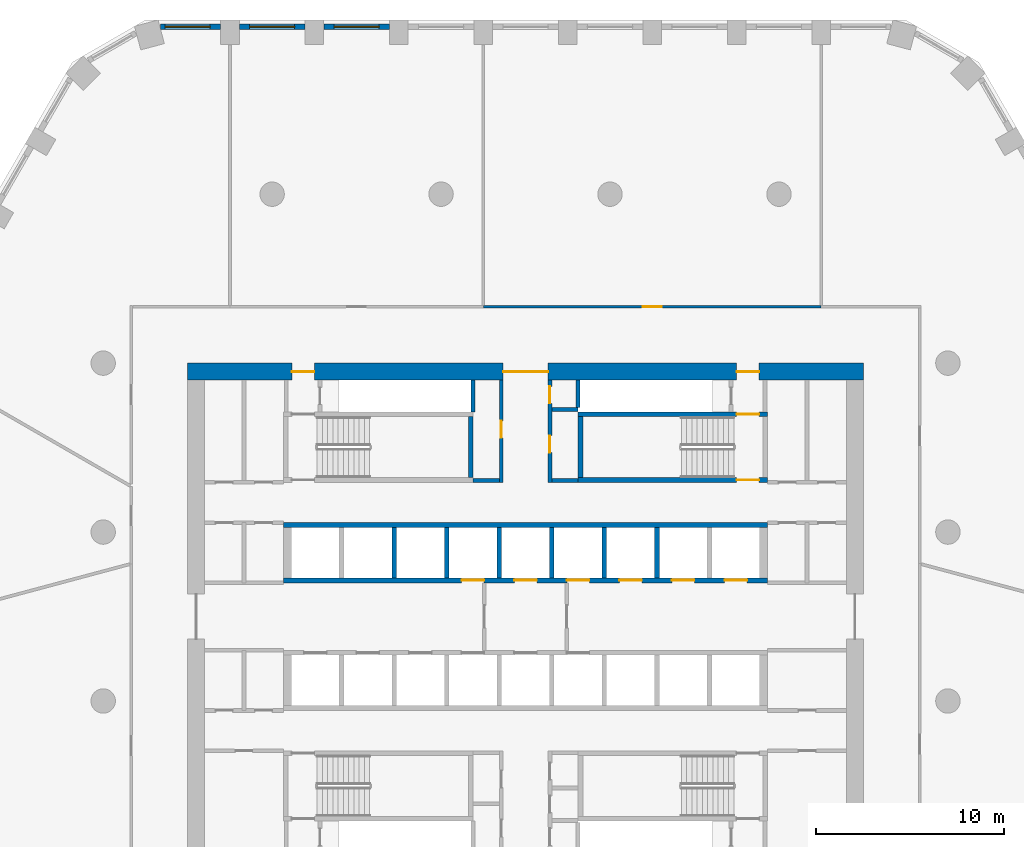
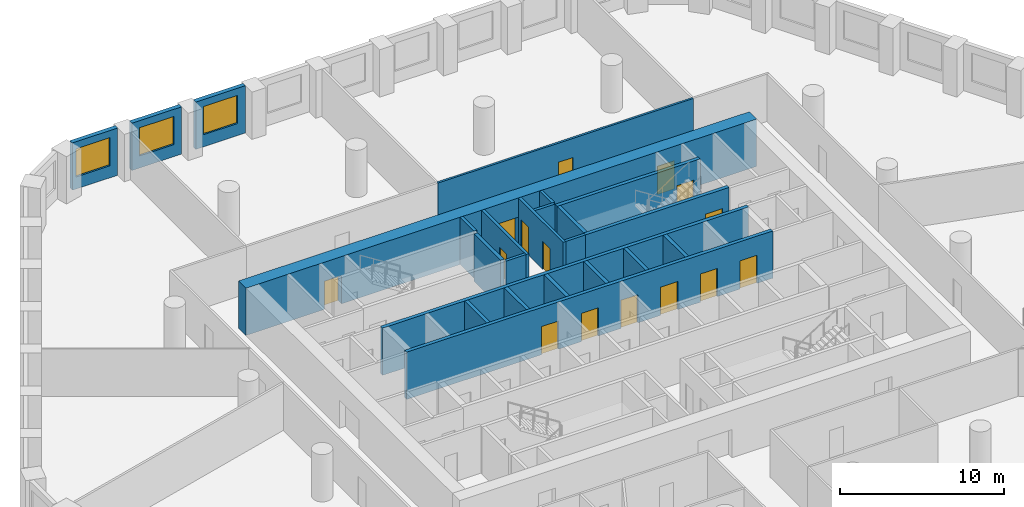
# One storey, part 6 of 9: 24 walls, 15 doors, 3 windows, 18 openings.
"""IFC4 building model written with IfcOpenShell, lengths in metres."""

from ifc_helpers import new_model, si_unit, direction, frame, frame_2d, origin, place, context, subcontext, project, spatial, polyline, rectangle, outline, extrude, material, layer, layer_set, type_object, element, fill, save


model = new_model("IFC4")

# Units and contexts
model_context = context("Model", 3, precision=1e-05, world=origin(), true_north=direction((0.0, 1.0)))
body_context = subcontext(model_context, "Body", "Model", "MODEL_VIEW")
ifc_project = project(units=[si_unit("LENGTHUNIT", "METRE"), si_unit("AREAUNIT", "SQUARE_METRE"), si_unit("VOLUMEUNIT", "CUBIC_METRE"), si_unit("PLANEANGLEUNIT", "RADIAN"), si_unit("MASSUNIT", "GRAM", prefix="KILO")], contexts=[model_context])

# Site, building, storey
site_placement = place(None, origin())
site = spatial("IfcSite", under=ifc_project, at=site_placement, CompositionType="ELEMENT")
building_placement = place(site_placement, origin())
building = spatial("IfcBuilding", under=site, at=building_placement, Name="Dhurran Vertical Campus", CompositionType="ELEMENT")
storey_placement = place(building_placement, frame((0.0, 0.0, 116.39990234375)))
storey = spatial("IfcBuildingStorey", under=building, at=storey_placement, Name="L28", CompositionType="ELEMENT", Elevation=116.39990234375)

# Wall, opening, window
ifc_material_1 = material(Name="Precast concrete C50/60", Category="concrete")
ifc_layer_1 = layer(ifc_material_1, 0.300048828125)
ifc_layer_set_1 = layer_set([ifc_layer_1], Name="Precast concrete C50/60")
wall_type_1 = type_object("IfcWallType", Name="Precast spandrel wall 300", PredefinedType="SOLIDWALL", material=ifc_layer_set_1)
wall_1_placement = place(storey_placement, frame((-7.25048828125, 31.4296875, 0.0), z_axis=(0.0, 0.0, 1.0), x_axis=(-1.0, 0.0, 0.0)))
wall_1 = element("IfcWall", 1, at=wall_1_placement, inside=storey, type_object=wall_type_1, Name="EW1 L28.32", PredefinedType="SOLIDWALL", context=body_context, shape_type="SweptSolid", body=[
    extrude(rectangle(XDim=3.4990234375, YDim=0.300048828125, at=frame_2d((1.74951171875, 0.0))), origin(), (0.0, 0.0, 1.0), 3.525146484375),
])
opening_1_placement = place(wall_1_placement, frame((0.549560546875, 0.0, 0.89990234375)))
opening_1 = element("IfcOpeningElement", 2, at=opening_1_placement, cuts=wall_1, Name="Opening WT1", PredefinedType="OPENING", context=body_context, shape_type="SweptSolid", body=[
    extrude(rectangle(XDim=2.39990234375, YDim=2.10009765625, at=frame_2d((1.199951171875, 1.050048828125))), frame((0.0, 0.159912109375, 0.0), z_axis=(0.0, -1.0, 0.0), x_axis=(1.0, 0.0, 0.0)), (0.0, 0.0, 1.0), 0.320068359375),
])
ifc_material_2 = material(Name="Aluminium frame with solar-control glass", Category="aluminium")
window_type = type_object("IfcWindowType", Name="Punched window 2400 x 2100", PartitioningType="SINGLE_PANEL", PredefinedType="WINDOW", material=ifc_material_2)
window_1_placement = place(opening_1_placement, origin())
window_1 = element("IfcWindow", 3, at=window_1_placement, inside=storey, type_object=window_type, Name="WT1 L28.32", OverallHeight=2.10009765625, OverallWidth=2.39990234375, PartitioningType="SINGLE_PANEL", PredefinedType="WINDOW", context=body_context, shape_type="SweptSolid", body=[
    extrude(rectangle(XDim=2.39990234375, YDim=2.10009765625, at=frame_2d((1.199951171875, 1.050048828125))), frame((0.0, 0.030029296875, 0.0), z_axis=(0.0, -1.0, 0.0), x_axis=(1.0, 0.0, 0.0)), (0.0, 0.0, 1.0), 0.06005859375),
])
fill(opening_1, window_1)

wall_2_placement = place(storey_placement, frame((-11.75048828125, 31.4296875, 0.0), z_axis=(0.0, 0.0, 1.0), x_axis=(-1.0, 0.0, 0.0)))
wall_2 = element("IfcWall", 4, at=wall_2_placement, inside=storey, type_object=wall_type_1, Name="EW1 L28.33", PredefinedType="SOLIDWALL", context=body_context, shape_type="SweptSolid", body=[
    extrude(rectangle(XDim=3.4990234375, YDim=0.300048828125, at=frame_2d((1.74951171875, 0.0))), origin(), (0.0, 0.0, 1.0), 3.525146484375),
])
opening_2_placement = place(wall_2_placement, frame((0.549560546875, 0.0, 0.89990234375)))
opening_2 = element("IfcOpeningElement", 5, at=opening_2_placement, cuts=wall_2, Name="Opening WT1", PredefinedType="OPENING", context=body_context, shape_type="SweptSolid", body=[
    extrude(rectangle(XDim=2.39990234375, YDim=2.10009765625, at=frame_2d((1.199951171875, 1.050048828125))), frame((0.0, 0.159912109375, 0.0), z_axis=(0.0, -1.0, 0.0), x_axis=(1.0, 0.0, 0.0)), (0.0, 0.0, 1.0), 0.320068359375),
])
window_2_placement = place(opening_2_placement, origin())
window_2 = element("IfcWindow", 6, at=window_2_placement, inside=storey, type_object=window_type, Name="WT1 L28.33", OverallHeight=2.10009765625, OverallWidth=2.39990234375, PartitioningType="SINGLE_PANEL", PredefinedType="WINDOW", context=body_context, shape_type="SweptSolid", body=[
    extrude(rectangle(XDim=2.39990234375, YDim=2.10009765625, at=frame_2d((1.199951171875, 1.050048828125))), frame((0.0, 0.030029296875, 0.0), z_axis=(0.0, -1.0, 0.0), x_axis=(1.0, 0.0, 0.0)), (0.0, 0.0, 1.0), 0.06005859375),
])
fill(opening_2, window_2)

wall_3_placement = place(storey_placement, frame((-16.25048828125, 31.4296875, 0.0), z_axis=(0.0, 0.0, 1.0), x_axis=(-1.0, 0.0, 0.0)))
wall_3 = element("IfcWall", 7, at=wall_3_placement, inside=storey, type_object=wall_type_1, Name="EW1 L28.34", PredefinedType="SOLIDWALL", context=body_context, shape_type="SweptSolid", body=[
    extrude(rectangle(XDim=3.1923828125, YDim=0.300048828125, at=frame_2d((1.59619140625, 0.0))), origin(), (0.0, 0.0, 1.0), 3.525146484375),
])
opening_3_placement = place(wall_3_placement, frame((0.549560546875, 0.0, 0.89990234375)))
opening_3 = element("IfcOpeningElement", 8, at=opening_3_placement, cuts=wall_3, Name="Opening WT1", PredefinedType="OPENING", context=body_context, shape_type="SweptSolid", body=[
    extrude(rectangle(XDim=2.39990234375, YDim=2.10009765625, at=frame_2d((1.199951171875, 1.050048828125))), frame((0.0, 0.159912109375, 0.0), z_axis=(0.0, -1.0, 0.0), x_axis=(1.0, 0.0, 0.0)), (0.0, 0.0, 1.0), 0.320068359375),
])
window_3_placement = place(opening_3_placement, origin())
window_3 = element("IfcWindow", 9, at=window_3_placement, inside=storey, type_object=window_type, Name="WT1 L28.34", OverallHeight=2.10009765625, OverallWidth=2.39990234375, PartitioningType="SINGLE_PANEL", PredefinedType="WINDOW", context=body_context, shape_type="SweptSolid", body=[
    extrude(rectangle(XDim=2.39990234375, YDim=2.10009765625, at=frame_2d((1.199951171875, 1.050048828125))), frame((0.0, 0.030029296875, 0.0), z_axis=(0.0, -1.0, 0.0), x_axis=(1.0, 0.0, 0.0)), (0.0, 0.0, 1.0), 0.06005859375),
])
fill(opening_3, window_3)

# Wall, openings, doors
ifc_material_3 = material(Name="Concrete C60/75", Category="concrete")
ifc_layer_2 = layer(ifc_material_3, 0.89990234375)
ifc_layer_set_2 = layer_set([ifc_layer_2], Name="Concrete C60/75")
wall_type_2 = type_object("IfcWallType", Name="co-CORE-WALL-C0-900", PredefinedType="SHEAR", material=ifc_layer_set_2)
wall_4_placement = place(storey_placement, frame((-18.0, 13.050048828125, 0.0), z_axis=(0.0, 0.0, 1.0), x_axis=(1.0, 0.0, 0.0)))
wall_4 = element("IfcWall", 10, at=wall_4_placement, inside=storey, type_object=wall_type_2, Name="Core wall N L28", PredefinedType="SHEAR", context=body_context, shape_type="SweptSolid", body=[
    extrude(rectangle(XDim=36.0, YDim=0.89990234375, at=frame_2d((18.0, 0.0))), origin(), (0.0, 0.0, 1.0), 3.525146484375),
])
opening_4_placement = place(wall_4_placement, frame((16.800048828125, 0.0, 0.0)))
opening_4 = element("IfcOpeningElement", 11, at=opening_4_placement, cuts=wall_4, Name="Opening CV1", PredefinedType="OPENING", context=body_context, shape_type="SweptSolid", body=[
    extrude(rectangle(XDim=2.39990234375, YDim=2.10009765625, at=frame_2d((1.199951171875, 1.050048828125))), frame((0.0, 0.4599609375, 0.0), z_axis=(0.0, -1.0, 0.0), x_axis=(1.0, 0.0, 0.0)), (0.0, 0.0, 1.0), 0.919921875),
])
opening_5_placement = place(wall_4_placement, frame((5.550048828125, 0.0, 0.0)))
opening_5 = element("IfcOpeningElement", 12, at=opening_5_placement, cuts=wall_4, Name="Opening XD1", PredefinedType="OPENING", context=body_context, shape_type="SweptSolid", body=[
    extrude(rectangle(XDim=1.199951171875, YDim=2.10009765625, at=frame_2d((0.60009765625, 1.050048828125))), frame((0.0, 0.4599609375, 0.0), z_axis=(0.0, -1.0, 0.0), x_axis=(1.0, 0.0, 0.0)), (0.0, 0.0, 1.0), 0.919921875),
])
opening_6_placement = place(wall_4_placement, frame((29.25, 0.0, 0.0)))
opening_6 = element("IfcOpeningElement", 13, at=opening_6_placement, cuts=wall_4, Name="Opening XD2", PredefinedType="OPENING", context=body_context, shape_type="SweptSolid", body=[
    extrude(rectangle(XDim=1.199951171875, YDim=2.10009765625, at=frame_2d((0.60009765625, 1.050048828125))), frame((0.0, 0.4599609375, 0.0), z_axis=(0.0, -1.0, 0.0), x_axis=(1.0, 0.0, 0.0)), (0.0, 0.0, 1.0), 0.919921875),
])
ifc_material_4 = material(Name="Fire-rated glazed door set")
door_type_1 = type_object("IfcDoorType", Name="co-D-LOBBY 2400x2100", OperationType="DOUBLE_DOOR_DOUBLE_SWING", PredefinedType="DOOR", material=ifc_material_4)
door_1_placement = place(opening_4_placement, origin())
door_1 = element("IfcDoor", 14, at=door_1_placement, inside=storey, type_object=door_type_1, Name="Core vestibule door N L28", OperationType="DOUBLE_DOOR_DOUBLE_SWING", OverallHeight=2.10009765625, OverallWidth=2.39990234375, PredefinedType="DOOR", context=body_context, shape_type="SweptSolid", body=[
    extrude(rectangle(XDim=2.39990234375, YDim=2.10009765625, at=frame_2d((1.199951171875, 1.050048828125))), frame((0.0, 0.02490234375, 0.0), z_axis=(0.0, -1.0, 0.0), x_axis=(1.0, 0.0, 0.0)), (0.0, 0.0, 1.0), 0.050048828125),
])
fill(opening_4, door_1)
ifc_material_5 = material(Name="Fire-rated steel door set", Category="steel")
door_type_2 = type_object("IfcDoorType", Name="co-D-STAIR-EXIT 1200x2100", OperationType="SINGLE_SWING_RIGHT", PredefinedType="DOOR", material=ifc_material_5)
door_2_placement = place(opening_5_placement, origin())
door_2 = element("IfcDoor", 15, at=door_2_placement, inside=storey, type_object=door_type_2, Name="Stair ST1 exit door L28", OperationType="SINGLE_SWING_RIGHT", OverallHeight=2.10009765625, OverallWidth=1.199951171875, PredefinedType="DOOR", context=body_context, shape_type="SweptSolid", body=[
    extrude(rectangle(XDim=1.199951171875, YDim=2.10009765625, at=frame_2d((0.60009765625, 1.050048828125))), frame((0.0, 0.02490234375, 0.0), z_axis=(0.0, -1.0, 0.0), x_axis=(1.0, 0.0, 0.0)), (0.0, 0.0, 1.0), 0.050048828125),
])
fill(opening_5, door_2)
door_3_placement = place(opening_6_placement, origin())
door_3 = element("IfcDoor", 16, at=door_3_placement, inside=storey, type_object=door_type_2, Name="Stair ST2 exit door L28", OperationType="SINGLE_SWING_RIGHT", OverallHeight=2.10009765625, OverallWidth=1.199951171875, PredefinedType="DOOR", context=body_context, shape_type="SweptSolid", body=[
    extrude(rectangle(XDim=1.199951171875, YDim=2.10009765625, at=frame_2d((0.60009765625, 1.050048828125))), frame((0.0, 0.02490234375, 0.0), z_axis=(0.0, -1.0, 0.0), x_axis=(1.0, 0.0, 0.0)), (0.0, 0.0, 1.0), 0.050048828125),
])
fill(opening_6, door_3)

# Walls
ifc_material_6 = material(Name="Fire-rated masonry blockwork", Category="masonry")
ifc_layer_3 = layer(ifc_material_6, 0.199951171875)
ifc_layer_set_3 = layer_set([ifc_layer_3], Name="Fire-rated masonry blockwork")
wall_type_3 = type_object("IfcWallType", Name="co-FIRE-PARTITION-200", PredefinedType="PARTITIONING", material=ifc_layer_set_3)
for number, where, z_axis, x_axis, name in (
    (17, (-2.800048828125, 7.25, 0.0), (0.0, 0.0, 1.0), (1.0, 0.0, 0.0), "Core partition sl-NW-S L28"),
    (18, (1.39990234375, 7.25, 0.0), (0.0, 0.0, 1.0), (1.0, 0.0, 0.0), "Core partition sl-NE-S L28"),
    (19, (1.39990234375, 11.02490234375, 0.0), (0.0, 0.0, 1.0), (1.0, 0.0, 0.0), "Core partition sl-NE-cut0 L28"),
):
    element("IfcWall", number, at=place(storey_placement, frame(where, z_axis=z_axis, x_axis=x_axis)), inside=storey, type_object=wall_type_3, Name=name, PredefinedType="PARTITIONING", context=body_context, shape_type="SweptSolid", body=[
        extrude(rectangle(XDim=1.400146484375, YDim=0.199951171875, at=frame_2d((0.7001953125, 0.0))), origin(), (0.0, 0.0, 1.0), 3.525146484375),
    ])

# Wall, opening, door
wall_5_placement = place(storey_placement, frame((-1.300048828125, 7.14990234375, 0.0), z_axis=(0.0, 0.0, 1.0), x_axis=(0.0, 1.0, 0.0)))
wall_5 = element("IfcWall", 20, at=wall_5_placement, inside=storey, type_object=wall_type_3, Name="Core partition vest-NW L28", PredefinedType="PARTITIONING", context=body_context, shape_type="SweptSolid", body=[
    extrude(rectangle(XDim=5.4501953125, YDim=0.199951171875, at=frame_2d((2.72509765625, 0.0))), origin(), (0.0, 0.0, 1.0), 3.525146484375),
])
opening_7_placement = place(wall_5_placement, frame((2.375, 0.0, 0.0)))
opening_7 = element("IfcOpeningElement", 21, at=opening_7_placement, cuts=wall_5, Name="Opening T08-C6", PredefinedType="OPENING", context=body_context, shape_type="SweptSolid", body=[
    extrude(rectangle(XDim=0.89990234375, YDim=2.10009765625, at=frame_2d((0.449951171875, 1.050048828125))), frame((0.0, 0.10986328125, 0.0), z_axis=(0.0, -1.0, 0.0), x_axis=(1.0, 0.0, 0.0)), (0.0, 0.0, 1.0), 0.219970703125),
])
ifc_material_7 = material(Name="Fire-rated timber door set", Category="wood")
door_type_3 = type_object("IfcDoorType", Name="co-D-ROOM 900x2100", OperationType="SINGLE_SWING_LEFT", PredefinedType="DOOR", material=ifc_material_7)
door_4_placement = place(opening_7_placement, origin())
door_4 = element("IfcDoor", 22, at=door_4_placement, inside=storey, type_object=door_type_3, Name="Housekeeping store door L28", OperationType="SINGLE_SWING_LEFT", OverallHeight=2.10009765625, OverallWidth=0.89990234375, PredefinedType="DOOR", context=body_context, shape_type="SweptSolid", body=[
    extrude(rectangle(XDim=0.89990234375, YDim=2.10009765625, at=frame_2d((0.449951171875, 1.050048828125))), frame((0.0, 0.02490234375, 0.0), z_axis=(0.0, -1.0, 0.0), x_axis=(1.0, 0.0, 0.0)), (0.0, 0.0, 1.0), 0.050048828125),
])
fill(opening_7, door_4)

# Wall, openings, doors
wall_6_placement = place(storey_placement, frame((1.300048828125, 7.14990234375, 0.0), z_axis=(0.0, 0.0, 1.0), x_axis=(0.0, 1.0, 0.0)))
wall_6 = element("IfcWall", 23, at=wall_6_placement, inside=storey, type_object=wall_type_3, Name="Core partition vest-NE L28", PredefinedType="PARTITIONING", context=body_context, shape_type="SweptSolid", body=[
    extrude(rectangle(XDim=5.4501953125, YDim=0.199951171875, at=frame_2d((2.72509765625, 0.0))), origin(), (0.0, 0.0, 1.0), 3.525146484375),
])
opening_8_placement = place(wall_6_placement, frame((1.58740234375, 0.0, 0.0)))
opening_8 = element("IfcOpeningElement", 24, at=opening_8_placement, cuts=wall_6, Name="Opening T08-C7", PredefinedType="OPENING", context=body_context, shape_type="SweptSolid", body=[
    extrude(rectangle(XDim=0.89990234375, YDim=2.10009765625, at=frame_2d((0.449951171875, 1.050048828125))), frame((0.0, 0.10986328125, 0.0), z_axis=(0.0, -1.0, 0.0), x_axis=(1.0, 0.0, 0.0)), (0.0, 0.0, 1.0), 0.219970703125),
])
opening_9_placement = place(wall_6_placement, frame((4.21240234375, 0.0, 0.0)))
opening_9 = element("IfcOpeningElement", 25, at=opening_9_placement, cuts=wall_6, Name="Opening T08-C8", PredefinedType="OPENING", context=body_context, shape_type="SweptSolid", body=[
    extrude(rectangle(XDim=0.89990234375, YDim=2.10009765625, at=frame_2d((0.449951171875, 1.050048828125))), frame((0.0, 0.10986328125, 0.0), z_axis=(0.0, -1.0, 0.0), x_axis=(1.0, 0.0, 0.0)), (0.0, 0.0, 1.0), 0.219970703125),
])
door_5_placement = place(opening_8_placement, origin())
door_5 = element("IfcDoor", 26, at=door_5_placement, inside=storey, type_object=door_type_3, Name="Fire equipment store door L28", OperationType="SINGLE_SWING_LEFT", OverallHeight=2.10009765625, OverallWidth=0.89990234375, PredefinedType="DOOR", context=body_context, shape_type="SweptSolid", body=[
    extrude(rectangle(XDim=0.89990234375, YDim=2.10009765625, at=frame_2d((0.449951171875, 1.050048828125))), frame((0.0, 0.02490234375, 0.0), z_axis=(0.0, -1.0, 0.0), x_axis=(1.0, 0.0, 0.0)), (0.0, 0.0, 1.0), 0.050048828125),
])
fill(opening_8, door_5)
door_6_placement = place(opening_9_placement, origin())
door_6 = element("IfcDoor", 27, at=door_6_placement, inside=storey, type_object=door_type_3, Name="Communications room door L28", OperationType="SINGLE_SWING_LEFT", OverallHeight=2.10009765625, OverallWidth=0.89990234375, PredefinedType="DOOR", context=body_context, shape_type="SweptSolid", body=[
    extrude(rectangle(XDim=0.89990234375, YDim=2.10009765625, at=frame_2d((0.449951171875, 1.050048828125))), frame((0.0, 0.02490234375, 0.0), z_axis=(0.0, -1.0, 0.0), x_axis=(1.0, 0.0, 0.0)), (0.0, 0.0, 1.0), 0.050048828125),
])
fill(opening_9, door_6)

# Walls
wall_7_placement = place(storey_placement, frame((-2.800048828125, 10.90087890625, 0.0), z_axis=(0.0, 0.0, 1.0), x_axis=(0.0, 1.0, 0.0)))
element("IfcWall", 28, at=wall_7_placement, inside=storey, type_object=wall_type_3, Name="Riser enclosure wall L28", PredefinedType="PARTITIONING", context=body_context, shape_type="SweptSolid", body=[
    extrude(rectangle(XDim=1.6982421875, YDim=0.199951171875, at=frame_2d((0.84912109375, 0.0))), origin(), (0.0, 0.0, 1.0), 3.525146484375),
])
wall_8_placement = place(storey_placement, frame((2.800048828125, 12.59912109375, 0.0), z_axis=(0.0, 0.0, 1.0), x_axis=(0.0, -1.0, 0.0)))
element("IfcWall", 29, at=wall_8_placement, inside=storey, type_object=wall_type_3, Name="Riser enclosure wall L28", PredefinedType="PARTITIONING", context=body_context, shape_type="SweptSolid", body=[
    extrude(rectangle(XDim=1.47314453125, YDim=0.199951171875, at=frame_2d((0.736572265625, 0.0))), origin(), (0.0, 0.0, 1.0), 3.525146484375),
])

# Wall, openings, doors
ifc_material_8 = material(Name="Concrete C50/60", Category="concrete")
ifc_layer_4 = layer(ifc_material_8, 0.25)
ifc_layer_set_4 = layer_set([ifc_layer_4], Name="Concrete C50/60")
wall_type_4 = type_object("IfcWallType", Name="co-SHAFT-FRONT-250", PredefinedType="SHEAR", material=ifc_layer_set_4)
wall_9_placement = place(storey_placement, frame((-12.89990234375, 1.925048828125, 0.0), z_axis=(0.0, 0.0, 1.0), x_axis=(1.0, 0.0, 0.0)))
wall_9 = element("IfcWall", 30, at=wall_9_placement, inside=storey, type_object=wall_type_4, Name="Lift landing wall N L28", PredefinedType="SHEAR", context=body_context, shape_type="SweptSolid", body=[
    extrude(rectangle(XDim=25.7998046875, YDim=0.25, at=frame_2d((12.89990234375, 0.0))), origin(), (0.0, 0.0, 1.0), 3.525146484375),
])
opening_10_placement = place(wall_9_placement, frame((9.5, 0.0, 0.0)))
opening_10 = element("IfcOpeningElement", 31, at=opening_10_placement, cuts=wall_9, Name="Opening LD", PredefinedType="OPENING", context=body_context, shape_type="SweptSolid", body=[
    extrude(rectangle(XDim=1.199951171875, YDim=2.10009765625, at=frame_2d((0.60009765625, 1.050048828125))), frame((0.0, 0.135009765625, 0.0), z_axis=(0.0, -1.0, 0.0), x_axis=(1.0, 0.0, 0.0)), (0.0, 0.0, 1.0), 0.27001953125),
])
opening_11_placement = place(wall_9_placement, frame((12.300048828125, 0.0, 0.0)))
opening_11 = element("IfcOpeningElement", 32, at=opening_11_placement, cuts=wall_9, Name="Opening LD", PredefinedType="OPENING", context=body_context, shape_type="SweptSolid", body=[
    extrude(rectangle(XDim=1.199951171875, YDim=2.10009765625, at=frame_2d((0.60009765625, 1.050048828125))), frame((0.0, 0.135009765625, 0.0), z_axis=(0.0, -1.0, 0.0), x_axis=(1.0, 0.0, 0.0)), (0.0, 0.0, 1.0), 0.27001953125),
])
opening_12_placement = place(wall_9_placement, frame((15.10009765625, 0.0, 0.0)))
opening_12 = element("IfcOpeningElement", 33, at=opening_12_placement, cuts=wall_9, Name="Opening LD", PredefinedType="OPENING", context=body_context, shape_type="SweptSolid", body=[
    extrude(rectangle(XDim=1.199951171875, YDim=2.10009765625, at=frame_2d((0.60009765625, 1.050048828125))), frame((0.0, 0.135009765625, 0.0), z_axis=(0.0, -1.0, 0.0), x_axis=(1.0, 0.0, 0.0)), (0.0, 0.0, 1.0), 0.27001953125),
])
opening_13_placement = place(wall_9_placement, frame((17.89990234375, 0.0, 0.0)))
opening_13 = element("IfcOpeningElement", 34, at=opening_13_placement, cuts=wall_9, Name="Opening LD", PredefinedType="OPENING", context=body_context, shape_type="SweptSolid", body=[
    extrude(rectangle(XDim=1.199951171875, YDim=2.10009765625, at=frame_2d((0.60009765625, 1.050048828125))), frame((0.0, 0.135009765625, 0.0), z_axis=(0.0, -1.0, 0.0), x_axis=(1.0, 0.0, 0.0)), (0.0, 0.0, 1.0), 0.27001953125),
])
opening_14_placement = place(wall_9_placement, frame((20.699951171875, 0.0, 0.0)))
opening_14 = element("IfcOpeningElement", 35, at=opening_14_placement, cuts=wall_9, Name="Opening LD", PredefinedType="OPENING", context=body_context, shape_type="SweptSolid", body=[
    extrude(rectangle(XDim=1.199951171875, YDim=2.10009765625, at=frame_2d((0.60009765625, 1.050048828125))), frame((0.0, 0.135009765625, 0.0), z_axis=(0.0, -1.0, 0.0), x_axis=(1.0, 0.0, 0.0)), (0.0, 0.0, 1.0), 0.27001953125),
])
opening_15_placement = place(wall_9_placement, frame((23.5, 0.0, 0.0)))
opening_15 = element("IfcOpeningElement", 36, at=opening_15_placement, cuts=wall_9, Name="Opening LD", PredefinedType="OPENING", context=body_context, shape_type="SweptSolid", body=[
    extrude(rectangle(XDim=1.199951171875, YDim=2.10009765625, at=frame_2d((0.60009765625, 1.050048828125))), frame((0.0, 0.135009765625, 0.0), z_axis=(0.0, -1.0, 0.0), x_axis=(1.0, 0.0, 0.0)), (0.0, 0.0, 1.0), 0.27001953125),
])
ifc_material_9 = material(Name="Stainless steel landing door", Category="steel")
door_type_4 = type_object("IfcDoorType", Name="co-D-LANDING 1200x2100", OperationType="DOUBLE_DOOR_SLIDING", PredefinedType="DOOR", material=ifc_material_9)
door_7_placement = place(opening_10_placement, origin())
door_7 = element("IfcDoor", 37, at=door_7_placement, inside=storey, type_object=door_type_4, Name="Landing door LR1 L28", OperationType="DOUBLE_DOOR_SLIDING", OverallHeight=2.10009765625, OverallWidth=1.199951171875, PredefinedType="DOOR", context=body_context, shape_type="SweptSolid", body=[
    extrude(rectangle(XDim=1.199951171875, YDim=2.10009765625, at=frame_2d((0.60009765625, 1.050048828125))), frame((0.0, 0.02490234375, 0.0), z_axis=(0.0, -1.0, 0.0), x_axis=(1.0, 0.0, 0.0)), (0.0, 0.0, 1.0), 0.050048828125),
])
fill(opening_10, door_7)
door_8_placement = place(opening_11_placement, origin())
door_8 = element("IfcDoor", 38, at=door_8_placement, inside=storey, type_object=door_type_4, Name="Landing door FF1 L28", OperationType="DOUBLE_DOOR_SLIDING", OverallHeight=2.10009765625, OverallWidth=1.199951171875, PredefinedType="DOOR", context=body_context, shape_type="SweptSolid", body=[
    extrude(rectangle(XDim=1.199951171875, YDim=2.10009765625, at=frame_2d((0.60009765625, 1.050048828125))), frame((0.0, 0.02490234375, 0.0), z_axis=(0.0, -1.0, 0.0), x_axis=(1.0, 0.0, 0.0)), (0.0, 0.0, 1.0), 0.050048828125),
])
fill(opening_11, door_8)
door_9_placement = place(opening_12_placement, origin())
door_9 = element("IfcDoor", 39, at=door_9_placement, inside=storey, type_object=door_type_4, Name="Landing door LR2 L28", OperationType="DOUBLE_DOOR_SLIDING", OverallHeight=2.10009765625, OverallWidth=1.199951171875, PredefinedType="DOOR", context=body_context, shape_type="SweptSolid", body=[
    extrude(rectangle(XDim=1.199951171875, YDim=2.10009765625, at=frame_2d((0.60009765625, 1.050048828125))), frame((0.0, 0.02490234375, 0.0), z_axis=(0.0, -1.0, 0.0), x_axis=(1.0, 0.0, 0.0)), (0.0, 0.0, 1.0), 0.050048828125),
])
fill(opening_12, door_9)
door_10_placement = place(opening_13_placement, origin())
door_10 = element("IfcDoor", 40, at=door_10_placement, inside=storey, type_object=door_type_4, Name="Landing door LR3 L28", OperationType="DOUBLE_DOOR_SLIDING", OverallHeight=2.10009765625, OverallWidth=1.199951171875, PredefinedType="DOOR", context=body_context, shape_type="SweptSolid", body=[
    extrude(rectangle(XDim=1.199951171875, YDim=2.10009765625, at=frame_2d((0.60009765625, 1.050048828125))), frame((0.0, 0.02490234375, 0.0), z_axis=(0.0, -1.0, 0.0), x_axis=(1.0, 0.0, 0.0)), (0.0, 0.0, 1.0), 0.050048828125),
])
fill(opening_13, door_10)
door_11_placement = place(opening_14_placement, origin())
door_11 = element("IfcDoor", 41, at=door_11_placement, inside=storey, type_object=door_type_4, Name="Landing door LR4 L28", OperationType="DOUBLE_DOOR_SLIDING", OverallHeight=2.10009765625, OverallWidth=1.199951171875, PredefinedType="DOOR", context=body_context, shape_type="SweptSolid", body=[
    extrude(rectangle(XDim=1.199951171875, YDim=2.10009765625, at=frame_2d((0.60009765625, 1.050048828125))), frame((0.0, 0.02490234375, 0.0), z_axis=(0.0, -1.0, 0.0), x_axis=(1.0, 0.0, 0.0)), (0.0, 0.0, 1.0), 0.050048828125),
])
fill(opening_14, door_11)
door_12_placement = place(opening_15_placement, origin())
door_12 = element("IfcDoor", 42, at=door_12_placement, inside=storey, type_object=door_type_4, Name="Landing door SV2 L28", OperationType="DOUBLE_DOOR_SLIDING", OverallHeight=2.10009765625, OverallWidth=1.199951171875, PredefinedType="DOOR", context=body_context, shape_type="SweptSolid", body=[
    extrude(rectangle(XDim=1.199951171875, YDim=2.10009765625, at=frame_2d((0.60009765625, 1.050048828125))), frame((0.0, 0.02490234375, 0.0), z_axis=(0.0, -1.0, 0.0), x_axis=(1.0, 0.0, 0.0)), (0.0, 0.0, 1.0), 0.050048828125),
])
fill(opening_15, door_12)

# Walls
ifc_material_10 = material(Name="Concrete C50/60", Category="concrete")
ifc_layer_5 = layer(ifc_material_10, 0.25)
ifc_layer_set_5 = layer_set([ifc_layer_5], Name="Concrete C50/60")
wall_type_5 = type_object("IfcWallType", Name="co-SHAFT-MASS-250", PredefinedType="SHEAR", material=ifc_layer_set_5)
wall_10_placement = place(storey_placement, origin())
element("IfcWall", 43, at=wall_10_placement, inside=storey, type_object=wall_type_5, Name="Lift shaft wall N L28 1", PredefinedType="SHEAR", context=body_context, shape_type="SweptSolid", body=[
    extrude(outline(polyline([(-12.89990234375, 4.75), (12.89990234375, 4.75), (12.89990234375, 5.0), (-12.89990234375, 5.0), (-12.89990234375, 4.75)])), origin(), (0.0, 0.0, 1.0), 3.525146484375),
])
wall_11_placement = place(storey_placement, origin())
element("IfcWall", 44, at=wall_11_placement, inside=storey, type_object=wall_type_5, Name="Lift shaft wall N L28 4", PredefinedType="SHEAR", context=body_context, shape_type="SweptSolid", body=[
    extrude(outline(polyline([(-7.125, 2.050048828125), (-6.875, 2.050048828125), (-6.875, 4.75), (-7.125, 4.75), (-7.125, 2.050048828125)])), origin(), (0.0, 0.0, 1.0), 3.525146484375),
])
wall_12_placement = place(storey_placement, origin())
element("IfcWall", 45, at=wall_12_placement, inside=storey, type_object=wall_type_5, Name="Lift shaft wall N L28 5", PredefinedType="SHEAR", context=body_context, shape_type="SweptSolid", body=[
    extrude(outline(polyline([(-4.324951171875, 2.050048828125), (-4.074951171875, 2.050048828125), (-4.074951171875, 4.75), (-4.324951171875, 4.75), (-4.324951171875, 2.050048828125)])), origin(), (0.0, 0.0, 1.0), 3.525146484375),
])
wall_13_placement = place(storey_placement, origin())
element("IfcWall", 46, at=wall_13_placement, inside=storey, type_object=wall_type_5, Name="Lift shaft wall N L28 6", PredefinedType="SHEAR", context=body_context, shape_type="SweptSolid", body=[
    extrude(outline(polyline([(-1.52490234375, 2.050048828125), (-1.27490234375, 2.050048828125), (-1.27490234375, 4.75), (-1.52490234375, 4.75), (-1.52490234375, 2.050048828125)])), origin(), (0.0, 0.0, 1.0), 3.525146484375),
])
wall_14_placement = place(storey_placement, origin())
element("IfcWall", 47, at=wall_14_placement, inside=storey, type_object=wall_type_5, Name="Lift shaft wall N L28 7", PredefinedType="SHEAR", context=body_context, shape_type="SweptSolid", body=[
    extrude(outline(polyline([(1.27490234375, 2.050048828125), (1.52490234375, 2.050048828125), (1.52490234375, 4.75), (1.27490234375, 4.75), (1.27490234375, 2.050048828125)])), origin(), (0.0, 0.0, 1.0), 3.525146484375),
])
wall_15_placement = place(storey_placement, origin())
element("IfcWall", 48, at=wall_15_placement, inside=storey, type_object=wall_type_5, Name="Lift shaft wall N L28 8", PredefinedType="SHEAR", context=body_context, shape_type="SweptSolid", body=[
    extrude(outline(polyline([(4.074951171875, 2.050048828125), (4.324951171875, 2.050048828125), (4.324951171875, 4.75), (4.074951171875, 4.75), (4.074951171875, 2.050048828125)])), origin(), (0.0, 0.0, 1.0), 3.525146484375),
])
wall_16_placement = place(storey_placement, origin())
element("IfcWall", 49, at=wall_16_placement, inside=storey, type_object=wall_type_5, Name="Lift shaft wall N L28 9", PredefinedType="SHEAR", context=body_context, shape_type="SweptSolid", body=[
    extrude(outline(polyline([(6.875, 2.050048828125), (7.125, 2.050048828125), (7.125, 4.75), (6.875, 4.75), (6.875, 2.050048828125)])), origin(), (0.0, 0.0, 1.0), 3.525146484375),
])
ifc_material_11 = material(Name="Concrete C40/50", Category="concrete")
ifc_layer_6 = layer(ifc_material_11, 0.25)
ifc_layer_set_6 = layer_set([ifc_layer_6], Name="Concrete C40/50")
wall_type_6 = type_object("IfcWallType", Name="co-STAIR-WALL-250", PredefinedType="SHEAR", material=ifc_layer_set_6)
wall_17_placement = place(storey_placement, frame((-2.925048828125, 7.39990234375, 0.0), z_axis=(0.0, 0.0, 1.0), x_axis=(0.0, 1.0, 0.0)))
element("IfcWall", 50, at=wall_17_placement, inside=storey, type_object=wall_type_6, Name="Stair ST1 enclosure wall L28", PredefinedType="SHEAR", context=body_context, shape_type="SweptSolid", body=[
    extrude(rectangle(XDim=3.25, YDim=0.25, at=frame_2d((1.625, 0.0))), origin(), (0.0, 0.0, 1.0), 3.525146484375),
])

# Wall, opening, door
wall_18_placement = place(storey_placement, frame((2.800048828125, 7.27490234375, 0.0), z_axis=(0.0, 0.0, 1.0), x_axis=(1.0, 0.0, 0.0)))
wall_18 = element("IfcWall", 51, at=wall_18_placement, inside=storey, type_object=wall_type_6, Name="Stair ST2 enclosure wall L28", PredefinedType="SHEAR", context=body_context, shape_type="SweptSolid", body=[
    extrude(rectangle(XDim=10.099853515625, YDim=0.25, at=frame_2d((5.0498046875, 0.0))), origin(), (0.0, 0.0, 1.0), 3.525146484375),
])
opening_16_placement = place(wall_18_placement, frame((8.449951171875, 0.0, 0.0)))
opening_16 = element("IfcOpeningElement", 52, at=opening_16_placement, cuts=wall_18, Name="Opening SD2", PredefinedType="OPENING", context=body_context, shape_type="SweptSolid", body=[
    extrude(rectangle(XDim=1.199951171875, YDim=2.10009765625, at=frame_2d((0.60009765625, 1.050048828125))), frame((0.0, 0.135009765625, 0.0), z_axis=(0.0, -1.0, 0.0), x_axis=(1.0, 0.0, 0.0)), (0.0, 0.0, 1.0), 0.27001953125),
])
ifc_material_12 = material(Name="Fire-rated steel door set", Category="steel")
door_type_5 = type_object("IfcDoorType", Name="co-D-STAIR 1200x2100", OperationType="SINGLE_SWING_LEFT", PredefinedType="DOOR", material=ifc_material_12)
door_13_placement = place(opening_16_placement, origin())
door_13 = element("IfcDoor", 53, at=door_13_placement, inside=storey, type_object=door_type_5, Name="Stair ST2 door L28", OperationType="SINGLE_SWING_LEFT", OverallHeight=2.10009765625, OverallWidth=1.199951171875, PredefinedType="DOOR", context=body_context, shape_type="SweptSolid", body=[
    extrude(rectangle(XDim=1.199951171875, YDim=2.10009765625, at=frame_2d((0.60009765625, 1.050048828125))), frame((0.0, 0.02490234375, 0.0), z_axis=(0.0, -1.0, 0.0), x_axis=(1.0, 0.0, 0.0)), (0.0, 0.0, 1.0), 0.050048828125),
])
fill(opening_16, door_13)

wall_19_placement = place(storey_placement, frame((2.800048828125, 10.77490234375, 0.0), z_axis=(0.0, 0.0, 1.0), x_axis=(1.0, 0.0, 0.0)))
wall_19 = element("IfcWall", 54, at=wall_19_placement, inside=storey, type_object=wall_type_6, Name="Stair ST2 enclosure wall L28", PredefinedType="SHEAR", context=body_context, shape_type="SweptSolid", body=[
    extrude(rectangle(XDim=10.099853515625, YDim=0.25, at=frame_2d((5.0498046875, 0.0))), origin(), (0.0, 0.0, 1.0), 3.525146484375),
])
opening_17_placement = place(wall_19_placement, frame((8.449951171875, 0.0, 0.0)))
opening_17 = element("IfcOpeningElement", 55, at=opening_17_placement, cuts=wall_19, Name="Opening XS2", PredefinedType="OPENING", context=body_context, shape_type="SweptSolid", body=[
    extrude(rectangle(XDim=1.199951171875, YDim=2.10009765625, at=frame_2d((0.60009765625, 1.050048828125))), frame((0.0, 0.135009765625, 0.0), z_axis=(0.0, -1.0, 0.0), x_axis=(1.0, 0.0, 0.0)), (0.0, 0.0, 1.0), 0.27001953125),
])
door_14_placement = place(opening_17_placement, origin())
door_14 = element("IfcDoor", 56, at=door_14_placement, inside=storey, type_object=door_type_2, Name="Stair ST2 discharge door L28", OperationType="SINGLE_SWING_RIGHT", OverallHeight=2.10009765625, OverallWidth=1.199951171875, PredefinedType="DOOR", context=body_context, shape_type="SweptSolid", body=[
    extrude(rectangle(XDim=1.199951171875, YDim=2.10009765625, at=frame_2d((0.60009765625, 1.050048828125))), frame((0.0, 0.02490234375, 0.0), z_axis=(0.0, -1.0, 0.0), x_axis=(1.0, 0.0, 0.0)), (0.0, 0.0, 1.0), 0.050048828125),
])
fill(opening_17, door_14)

# Wall
wall_20_placement = place(storey_placement, frame((2.925048828125, 7.39990234375, 0.0), z_axis=(0.0, 0.0, 1.0), x_axis=(0.0, 1.0, 0.0)))
element("IfcWall", 57, at=wall_20_placement, inside=storey, type_object=wall_type_6, Name="Stair ST2 enclosure wall L28", PredefinedType="SHEAR", context=body_context, shape_type="SweptSolid", body=[
    extrude(rectangle(XDim=3.25, YDim=0.25, at=frame_2d((1.625, 0.0))), origin(), (0.0, 0.0, 1.0), 3.525146484375),
])

# Wall, opening, door
ifc_material_13 = material(Name="Gypsum board corridor wall on steel studs", Category="steel")
ifc_layer_7 = layer(ifc_material_13, 0.14990234375)
ifc_layer_set_7 = layer_set([ifc_layer_7], Name="Gypsum board corridor wall on steel studs")
wall_type_7 = type_object("IfcWallType", Name="fl-CW-150 corridor wall", PredefinedType="PARTITIONING", material=ifc_layer_set_7)
wall_21_placement = place(storey_placement, frame((15.75, 16.5, 0.0), z_axis=(0.0, 0.0, 1.0), x_axis=(-1.0, 0.0, 0.0)))
wall_21 = element("IfcWall", 58, at=wall_21_placement, inside=storey, type_object=wall_type_7, Name="Partition 28-21", PredefinedType="PARTITIONING", context=body_context, shape_type="SweptSolid", body=[
    extrude(rectangle(XDim=18.0, YDim=0.14990234375, at=frame_2d((9.0, 0.0))), origin(), (0.0, 0.0, 1.0), 3.525146484375),
])
opening_18_placement = place(wall_21_placement, frame((8.5, 0.0, 0.0)))
opening_18 = element("IfcOpeningElement", 59, at=opening_18_placement, cuts=wall_21, Name="Opening T08.09", PredefinedType="OPENING", context=body_context, shape_type="SweptSolid", body=[
    extrude(rectangle(XDim=1.0, YDim=2.10009765625, at=frame_2d((0.5, 1.050048828125))), frame((0.0, 0.0849609375, 0.0), z_axis=(0.0, -1.0, 0.0), x_axis=(1.0, 0.0, 0.0)), (0.0, 0.0, 1.0), 0.169921875),
])
ifc_material_14 = material(Name="Solid-core timber door set, fire-rated", Category="wood")
door_type_6 = type_object("IfcDoorType", Name="fl-D-1000x2100", OperationType="SINGLE_SWING_LEFT", PredefinedType="DOOR", material=ifc_material_14)
door_15_placement = place(opening_18_placement, origin())
door_15 = element("IfcDoor", 60, at=door_15_placement, inside=storey, type_object=door_type_6, Name="Door 28.09", OperationType="SINGLE_SWING_LEFT", OverallHeight=2.10009765625, OverallWidth=1.0, PredefinedType="DOOR", context=body_context, shape_type="SweptSolid", body=[
    extrude(rectangle(XDim=1.0, YDim=2.10009765625, at=frame_2d((0.5, 1.050048828125))), frame((0.0, 0.02490234375, 0.0), z_axis=(0.0, -1.0, 0.0), x_axis=(1.0, 0.0, 0.0)), (0.0, 0.0, 1.0), 0.050048828125),
])
fill(opening_18, door_15)

save(model, "model.ifc")
